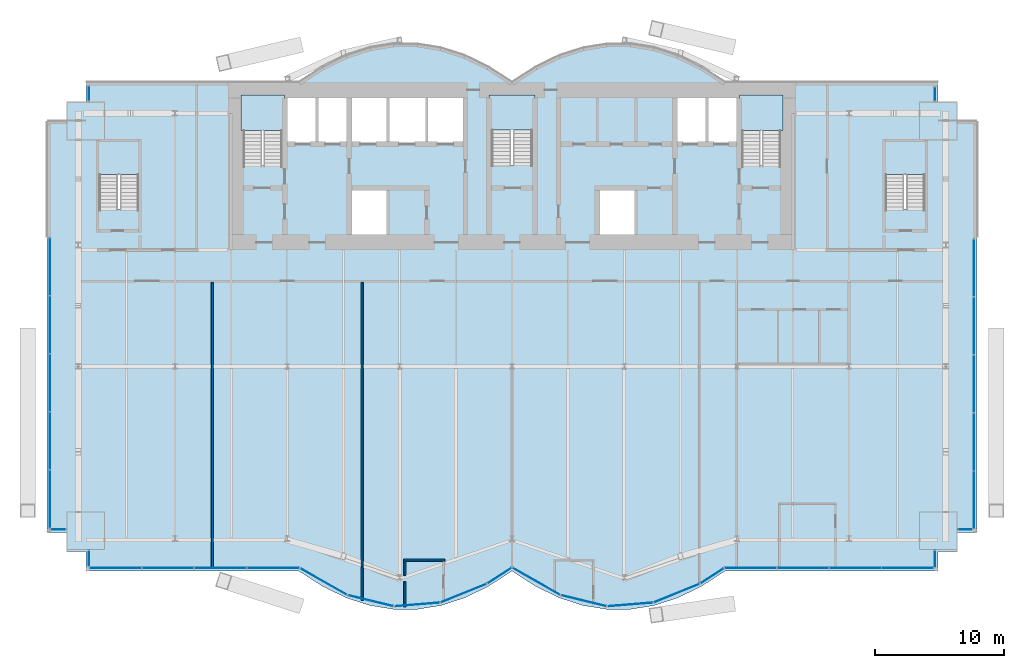
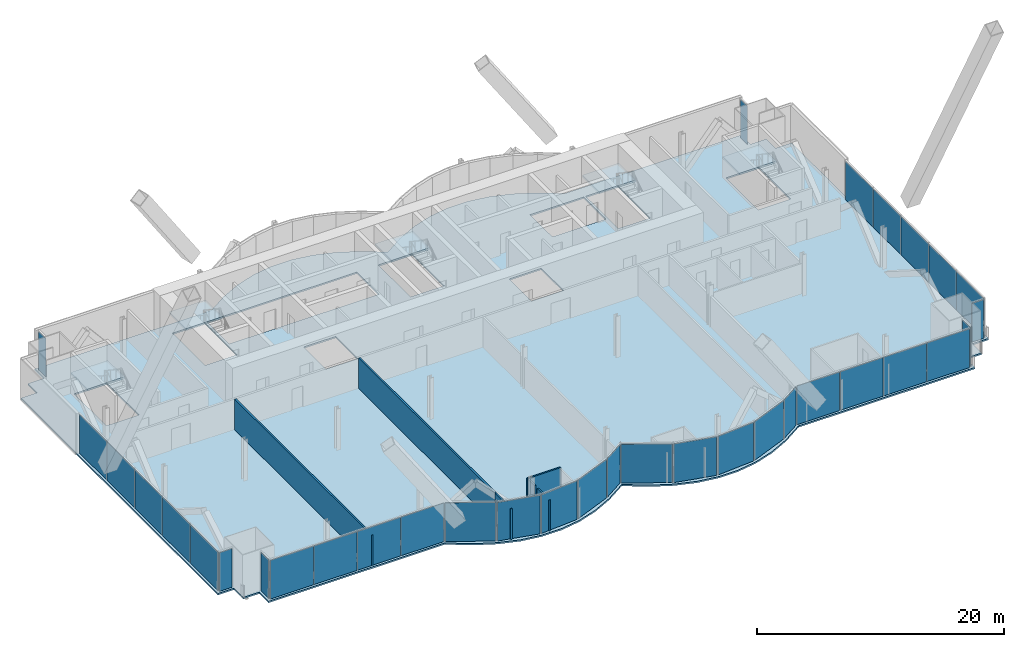
# One storey, part 16 of 23: 34 plates, 6 slabs, 6 walls, 17 elements without a shape of their own.
"""IFC4 building model written with IfcOpenShell, lengths in metres."""

import ifcopenshell
import ifcopenshell.guid

model = None  # the IFC model being written
_history = None  # IfcOwnerHistory: only IFC2X3 demands one
_inside = {}  # id of a spatial element -> (the spatial element, [elements in it])
_under = {}  # id of a project, library or spatial element -> (it, [spatial elements below it])
_declared = {}  # id of a project -> (the project, [libraries it declares])
_typed = {}  # id of a type object -> (the type object, [elements of that type])
_made_of = {}  # id of a material, layer set ... -> (it, [elements and type objects made of it])


def new_model(schema):
    """Start an empty IFC model of exactly this schema.

    Asked for "IFC4X3", IfcOpenShell would pick the latest addendum, in which some entities
    have other attributes; the version numbers below select the first issue.
    IFC2X3 requires an IfcOwnerHistory on every rooted entity: one is made here for all.
    """
    global model, _history
    if schema == "IFC4X3":
        model = ifcopenshell.file(schema_version=(4, 3, 0, 0))
    else:
        model = ifcopenshell.file(schema=schema)
    _inside.clear()
    _under.clear()
    _declared.clear()
    _typed.clear()
    _made_of.clear()
    _history = None
    if model.schema == "IFC2X3":
        org = make("IfcOrganization", Name="unknown")
        user = make(
            "IfcPersonAndOrganization",
            ThePerson=make("IfcPerson", FamilyName="unknown"),
            TheOrganization=org,
        )
        app = make(
            "IfcApplication",
            ApplicationDeveloper=org,
            Version="unknown",
            ApplicationFullName="unknown",
            ApplicationIdentifier="unknown",
        )
        _history = make(
            "IfcOwnerHistory",
            OwningUser=user,
            OwningApplication=app,
            ChangeAction="ADDED",
            CreationDate=0,
        )
    return model


def make(cls, **values):
    """One entity of the class cls with the attributes given. An attribute that is None is left unset."""
    return model.create_entity(
        cls, **{name: value for name, value in values.items() if value is not None}
    )


def rooted(cls, **values):
    """An entity with a GlobalId (a new one), such as an element, a storey or a relation."""
    return make(cls, GlobalId=ifcopenshell.guid.new(), OwnerHistory=_history, **values)


def si_unit(unit_type, name, prefix=None):
    """IfcSIUnit, for example si_unit("LENGTHUNIT", "METRE", prefix="MILLI")."""
    return make("IfcSIUnit", UnitType=unit_type, Prefix=prefix, Name=name)


def assignment(units):
    """IfcUnitAssignment: the units of a project."""
    return None if units is None else make("IfcUnitAssignment", Units=units)


def point(xyz):
    """IfcCartesianPoint."""
    return None if xyz is None else make("IfcCartesianPoint", Coordinates=xyz)


def direction(xyz):
    """IfcDirection."""
    return None if xyz is None else make("IfcDirection", DirectionRatios=xyz)


def frame(location, z_axis=None, x_axis=None):
    """IfcAxis2Placement3D, a coordinate frame: its origin and axes. An axis left out is left unset."""
    return make(
        "IfcAxis2Placement3D",
        Location=point(location),
        Axis=direction(z_axis),
        RefDirection=direction(x_axis),
    )


def frame_2d(location, x_axis=None):
    """IfcAxis2Placement2D, a coordinate frame in the plane: its origin and x axis."""
    return make(
        "IfcAxis2Placement2D", Location=point(location), RefDirection=direction(x_axis)
    )


def origin():
    """The frame at (0, 0, 0) with its axes left unset."""
    return frame((0.0, 0.0, 0.0))


def origin_2d():
    """The frame at (0, 0) in the plane with its x axis left unset."""
    return frame_2d((0.0, 0.0))


def place(relative_to, where):
    """IfcLocalPlacement: puts the frame where relative to a parent placement (None: the world)."""
    return make(
        "IfcLocalPlacement", PlacementRelTo=relative_to, RelativePlacement=where
    )


def context(
    kind, dimensions, precision=None, world=None, true_north=None, identifier=None
):
    """IfcGeometricRepresentationContext, for example the 3D "Model" context."""
    return make(
        "IfcGeometricRepresentationContext",
        ContextIdentifier=identifier,
        ContextType=kind,
        CoordinateSpaceDimension=dimensions,
        Precision=precision,
        WorldCoordinateSystem=world,
        TrueNorth=true_north,
    )


def subcontext(parent, identifier, kind, view, scale=None):
    """IfcGeometricRepresentationSubContext, for example "Body" below "Model"."""
    return make(
        "IfcGeometricRepresentationSubContext",
        ContextIdentifier=identifier,
        ContextType=kind,
        ParentContext=parent,
        TargetScale=scale,
        TargetView=view,
    )


def project(units=None, contexts=None):
    """IfcProject with its units and contexts."""
    return rooted(
        "IfcProject",
        Name="project",
        RepresentationContexts=contexts,
        UnitsInContext=assignment(units),
    )


def spatial(cls, under=None, at=None, **own):
    """A site, building, storey or space (cls), placed at a placement, below another one or the project."""
    s = rooted(cls, ObjectPlacement=at, **own)
    if under is not None:
        _under.setdefault(under.id(), (under, []))[1].append(s)
    return s


def polyline(points):
    """IfcPolyline through the points."""
    return make("IfcPolyline", Points=[point(p) for p in points])


def profile(cls, at=None, kind="AREA", **sizes):
    """A parametric profile (cls). Its sizes go by their IFC names, for example OverallWidth=200.0."""
    return make(cls, ProfileType=kind, Position=at, **sizes)


def rectangle(**sizes):
    """IfcRectangleProfileDef."""
    return profile("IfcRectangleProfileDef", **sizes)


def outline(outer, holes=None, kind="AREA"):
    """IfcArbitraryClosedProfileDef: a profile drawn as a closed curve; with holes, ...WithVoids."""
    if holes is None:
        return make("IfcArbitraryClosedProfileDef", ProfileType=kind, OuterCurve=outer)
    return make(
        "IfcArbitraryProfileDefWithVoids",
        ProfileType=kind,
        OuterCurve=outer,
        InnerCurves=holes,
    )


def extrude(swept, where, along, depth):
    """IfcExtrudedAreaSolid: the profile swept, set in the frame where, extruded along a direction by depth."""
    return make(
        "IfcExtrudedAreaSolid",
        SweptArea=swept,
        Position=where,
        ExtrudedDirection=direction(along),
        Depth=depth,
    )


def shape(context_of_items, identifier, shape_type, items):
    """IfcShapeRepresentation: the items that make up one representation, for example the "Body"."""
    return make(
        "IfcShapeRepresentation",
        ContextOfItems=context_of_items,
        RepresentationIdentifier=identifier,
        RepresentationType=shape_type,
        Items=items,
    )


def material(Name=None, Category=None):
    """IfcMaterial."""
    return make("IfcMaterial", Name=Name, Category=Category)


def layer(
    of_material, thickness, ventilated=None, Name=None, Category=None, Priority=None
):
    """IfcMaterialLayer: one layer of a wall or slab, of a material (None: an air gap)."""
    return make(
        "IfcMaterialLayer",
        Material=of_material,
        LayerThickness=thickness,
        IsVentilated=ventilated,
        Name=Name,
        Category=Category,
        Priority=Priority,
    )


def layer_set(layers, Name=None):
    """IfcMaterialLayerSet."""
    return make("IfcMaterialLayerSet", MaterialLayers=layers, LayerSetName=Name)


def made_of(thing, what):
    """Note that an element or type object is made of a material, layer set ...; save() writes the relation."""
    if what is not None:
        _made_of.setdefault(what.id(), (what, []))[1].append(thing)
    return thing


def type_object(cls, material=None, **own):
    """A type object (cls), such as IfcWallType, which elements share."""
    return made_of(rooted(cls, **own), material)


def element(
    cls,
    number,
    at=None,
    inside=None,
    cuts=None,
    type_object=None,
    material=None,
    context=None,
    identifier="Body",
    shape_type=None,
    held_by="IfcProductDefinitionShape",
    body=None,
    shapes=None,
    **own,
):
    """One element of the class cls, such as IfcWall. Its Tag is "e" and its number.

    at: its placement. inside: the storey or other place that contains it. cuts: it is an
    opening in that element (IfcRelVoidsElement). A single representation is given by context,
    identifier, shape_type and body (its items); several are given by shapes. held_by: the class
    of the entity that holds the representations. save() writes the other relations.
    """
    e = rooted(cls, Tag="e%d" % number, ObjectPlacement=at, **own)
    if body is not None:
        shapes = [shape(context, identifier, shape_type, body)]
    if shapes is not None:
        e.Representation = make(held_by, Representations=shapes)
    if inside is not None:
        _inside.setdefault(inside.id(), (inside, []))[1].append(e)
    if cuts is not None:
        rooted(
            "IfcRelVoidsElement", RelatingBuildingElement=cuts, RelatedOpeningElement=e
        )
    if type_object is not None:
        _typed.setdefault(type_object.id(), (type_object, []))[1].append(e)
    return made_of(e, material)


def aggregate(whole, parts):
    """IfcRelAggregates: a whole, such as a stair, and the parts it consists of."""
    return rooted("IfcRelAggregates", RelatingObject=whole, RelatedObjects=parts)


def save(model, path):
    """Write the relations noted so far, then the file.

    IfcRelAggregates (storeys below a building ...), IfcRelContainedInSpatialStructure (elements
    in a storey), IfcRelDefinesByType, IfcRelAssociatesMaterial and IfcRelDeclares: one each for
    every whole, place, type object, material and project.
    """
    for whole, parts in _under.values():
        aggregate(whole, parts)
    for where, things in _inside.values():
        rooted(
            "IfcRelContainedInSpatialStructure",
            RelatedElements=things,
            RelatingStructure=where,
        )
    for kind, things in _typed.values():
        rooted("IfcRelDefinesByType", RelatedObjects=things, RelatingType=kind)
    for what, things in _made_of.values():
        rooted("IfcRelAssociatesMaterial", RelatedObjects=things, RelatingMaterial=what)
    for by, libraries in _declared.values():
        rooted("IfcRelDeclares", RelatingContext=by, RelatedDefinitions=libraries)
    model.write(path)


model = new_model("IFC4")

# Units and contexts
model_context = context("Model", 3, precision=1e-05, world=origin(), true_north=direction((0.0, 1.0)))
body_context = subcontext(model_context, "Body", "Model", "MODEL_VIEW")
ifc_project = project(units=[si_unit("LENGTHUNIT", "METRE"), si_unit("AREAUNIT", "SQUARE_METRE"), si_unit("VOLUMEUNIT", "CUBIC_METRE"), si_unit("PLANEANGLEUNIT", "RADIAN"), si_unit("MASSUNIT", "GRAM", prefix="KILO")], contexts=[model_context])

# Site, building, storey
site_placement = place(None, origin())
site = spatial("IfcSite", under=ifc_project, at=site_placement, CompositionType="ELEMENT")
building_placement = place(site_placement, origin())
building = spatial("IfcBuilding", under=site, at=building_placement, Name="Bicima Exchange Tower", CompositionType="ELEMENT")
storey_placement = place(building_placement, frame((0.0, 0.0, 110.39990234375)))
storey = spatial("IfcBuildingStorey", under=building, at=storey_placement, Name="L23", CompositionType="ELEMENT", Elevation=110.39990234375)

# Slab
ifc_material_1 = material(Name="Concrete C40/50", Category="concrete")
ifc_layer_1 = layer(ifc_material_1, 0.14990234375)
ifc_layer_set_1 = layer_set([ifc_layer_1], Name="Concrete C40/50")
slab_type_1 = type_object("IfcSlabType", Name="Composite floor slab 150", PredefinedType="FLOOR", material=ifc_layer_set_1)
slab_1_placement = place(storey_placement, frame((0.0, 0.0, -0.14990234375)))
element("IfcSlab", 1, at=slab_1_placement, inside=storey, type_object=slab_type_1, Name="Floor slab", PredefinedType="FLOOR", context=body_context, shape_type="SweptSolid", body=[
    extrude(outline(polyline([(-36.0, -34.85205078125), (-36.0, -3.0), (-34.5, -3.0), (-34.5, -1.5), (-33.0, -1.5), (-33.0, 0.0), (-16.5, 0.0), (-14.666748046875, 1.185302734375), (-12.833251953125, 2.07421875), (-11.0, 2.666748046875), (-9.166748046875, 2.962890625), (-7.333251953125, 2.962890625), (-5.5, 2.666748046875), (-3.666748046875, 2.07421875), (-1.833251953125, 1.185302734375), (0.0, 0.0), (1.833251953125, 1.185302734375), (3.666748046875, 2.07421875), (5.5, 2.666748046875), (7.333251953125, 2.962890625), (9.166748046875, 2.962890625), (11.0, 2.666748046875), (12.833251953125, 2.07421875), (14.666748046875, 1.185302734375), (16.5, 0.0), (33.0, 0.0), (33.0, -1.5), (34.5, -1.5), (34.5, -3.0), (36.0, -3.0), (36.0, -34.85205078125), (34.5, -34.85205078125), (34.5, -36.35205078125), (33.0, -36.35205078125), (33.0, -37.85205078125), (16.5, -37.85205078125), (14.666748046875, -39.037109375), (12.833251953125, -39.926025390625), (11.0, -40.518798828125), (9.166748046875, -40.81494140625), (7.333251953125, -40.81494140625), (5.5, -40.518798828125), (3.666748046875, -39.926025390625), (1.833251953125, -39.037109375), (0.0, -37.85205078125), (-1.833251953125, -39.037109375), (-3.666748046875, -39.926025390625), (-5.5, -40.518798828125), (-7.333251953125, -40.81494140625), (-9.166748046875, -40.81494140625), (-11.0, -40.518798828125), (-12.833251953125, -39.926025390625), (-14.666748046875, -39.037109375), (-16.5, -37.85205078125), (-33.0, -37.85205078125), (-33.0, -36.35205078125), (-34.5, -36.35205078125), (-34.5, -34.85205078125), (-36.0, -34.85205078125)]), holes=[polyline([(-9.60009765625, -11.800048828125), (-9.60009765625, -8.199951171875), (-12.60009765625, -8.199951171875), (-12.60009765625, -11.800048828125), (-9.60009765625, -11.800048828125)]), polyline([(-31.97509765625, -9.824951171875), (-28.925048828125, -9.824951171875), (-28.925048828125, -4.625), (-31.97509765625, -4.625), (-31.97509765625, -9.824951171875)]), polyline([(-20.800048828125, -6.449951171875), (-17.800048828125, -6.449951171875), (-17.800048828125, -1.199951171875), (-20.800048828125, -1.199951171875), (-20.800048828125, -6.449951171875)]), polyline([(-9.60009765625, -1.199951171875), (-12.60009765625, -1.199951171875), (-15.10009765625, -1.199951171875), (-17.60009765625, -1.199951171875), (-17.60009765625, -4.800048828125), (-15.10009765625, -4.800048828125), (-12.60009765625, -4.800048828125), (-9.60009765625, -4.800048828125), (-6.60009765625, -4.800048828125), (-3.60009765625, -4.800048828125), (-3.60009765625, -1.199951171875), (-6.60009765625, -1.199951171875), (-9.60009765625, -1.199951171875)]), polyline([(9.60009765625, -11.800048828125), (9.60009765625, -8.199951171875), (6.60009765625, -8.199951171875), (6.60009765625, -11.800048828125), (9.60009765625, -11.800048828125)]), polyline([(28.925048828125, -9.824951171875), (31.97509765625, -9.824951171875), (31.97509765625, -4.625), (28.925048828125, -4.625), (28.925048828125, -9.824951171875)]), polyline([(17.800048828125, -6.449951171875), (20.800048828125, -6.449951171875), (20.800048828125, -1.199951171875), (17.800048828125, -1.199951171875), (17.800048828125, -6.449951171875)]), polyline([(-1.574951171875, -6.39990234375), (1.574951171875, -6.39990234375), (1.574951171875, -1.199951171875), (-1.574951171875, -1.199951171875), (-1.574951171875, -6.39990234375)]), polyline([(17.60009765625, -4.800048828125), (17.60009765625, -1.199951171875), (15.10009765625, -1.199951171875), (12.60009765625, -1.199951171875), (12.60009765625, -4.800048828125), (15.10009765625, -4.800048828125), (17.60009765625, -4.800048828125)])]), origin(), (0.0, 0.0, 1.0), 0.14990234375),
])

# Curtain wall, plates
ifc_material_2 = material(Name="Anodised bronze aluminium", Category="aluminium")
curtain_wall_type_1 = type_object("IfcCurtainWallType", Name="End face glass wall", PredefinedType="NOTDEFINED", material=ifc_material_2)
curtain_wall_1_placement = place(storey_placement, origin())
curtain_wall_1 = element("IfcCurtainWall", 2, at=curtain_wall_1_placement, inside=storey, type_object=curtain_wall_type_1, Name="End face glass wall L23 run 2", PredefinedType="NOTDEFINED")
ifc_material_3 = material(Name="Bronze tinted glass", Category="glass")
ifc_layer_2 = layer(ifc_material_3, 0.031982421875)
ifc_layer_set_2 = layer_set([ifc_layer_2], Name="Bronze tinted glass")
plate_type_1 = type_object("IfcPlateType", Name="End face glass wall glass panel 32", PredefinedType="CURTAIN_PANEL", material=ifc_layer_set_2)
plate_1_placement = place(storey_placement, frame((-35.77001953125, -14.2783203125, 0.0), z_axis=(0.0, 0.0, 1.0), x_axis=(0.0, -1.0, 0.0)))
plate_1 = element("IfcPlate", 3, at=plate_1_placement, type_object=plate_type_1, Name="End face glass wall panel 1.1", PredefinedType="CURTAIN_PANEL", context=body_context, shape_type="SweptSolid", body=[
    extrude(rectangle(XDim=4.436279296875, YDim=0.031982421875, at=origin_2d()), origin(), (0.0, 0.0, 1.0), 3.81005859375),
])
plate_2_placement = place(storey_placement, frame((-35.77001953125, -27.767333984375, 0.0), z_axis=(0.0, 0.0, 1.0), x_axis=(0.0, -1.0, 0.0)))
plate_2 = element("IfcPlate", 4, at=plate_2_placement, type_object=plate_type_1, Name="End face glass wall panel 4.1", PredefinedType="CURTAIN_PANEL", context=body_context, shape_type="SweptSolid", body=[
    extrude(rectangle(XDim=4.436279296875, YDim=0.031982421875, at=origin_2d()), origin(), (0.0, 0.0, 1.0), 3.81005859375),
])
plate_3_placement = place(storey_placement, frame((-35.77001953125, -32.263916015625, 0.0), z_axis=(0.0, 0.0, 1.0), x_axis=(0.0, -1.0, 0.0)))
plate_3 = element("IfcPlate", 5, at=plate_3_placement, type_object=plate_type_1, Name="End face glass wall panel 5.1", PredefinedType="CURTAIN_PANEL", context=body_context, shape_type="SweptSolid", body=[
    extrude(rectangle(XDim=4.436279296875, YDim=0.031982421875, at=origin_2d()), origin(), (0.0, 0.0, 1.0), 3.81005859375),
])

curtain_wall_2_placement = place(storey_placement, origin())
curtain_wall_2 = element("IfcCurtainWall", 6, at=curtain_wall_2_placement, inside=storey, type_object=curtain_wall_type_1, Name="End face glass wall L23 run 19", PredefinedType="NOTDEFINED")
plate_4_placement = place(storey_placement, frame((35.77001953125, -32.34375, 0.0), z_axis=(0.0, 0.0, 1.0), x_axis=(0.0, 1.0, 0.0)))
plate_4 = element("IfcPlate", 7, at=plate_4_placement, type_object=plate_type_1, Name="End face glass wall panel 1.1", PredefinedType="CURTAIN_PANEL", context=body_context, shape_type="SweptSolid", body=[
    extrude(rectangle(XDim=4.436279296875, YDim=0.031982421875, at=origin_2d()), origin(), (0.0, 0.0, 1.0), 3.81005859375),
])
plate_5_placement = place(storey_placement, frame((35.77001953125, -27.847412109375, 0.0), z_axis=(0.0, 0.0, 1.0), x_axis=(0.0, 1.0, 0.0)))
plate_5 = element("IfcPlate", 8, at=plate_5_placement, type_object=plate_type_1, Name="End face glass wall panel 2.1", PredefinedType="CURTAIN_PANEL", context=body_context, shape_type="SweptSolid", body=[
    extrude(rectangle(XDim=4.436279296875, YDim=0.031982421875, at=origin_2d()), origin(), (0.0, 0.0, 1.0), 3.81005859375),
])
plate_6_placement = place(storey_placement, frame((35.77001953125, -14.358154296875, 0.0), z_axis=(0.0, 0.0, 1.0), x_axis=(0.0, 1.0, 0.0)))
plate_6 = element("IfcPlate", 9, at=plate_6_placement, type_object=plate_type_1, Name="End face glass wall panel 5.1", PredefinedType="CURTAIN_PANEL", context=body_context, shape_type="SweptSolid", body=[
    extrude(rectangle(XDim=4.436279296875, YDim=0.031982421875, at=origin_2d()), origin(), (0.0, 0.0, 1.0), 3.81005859375),
])

# Plate
ifc_material_4 = material(Name="Bronze anodised aluminium", Category="aluminium")
ifc_layer_3 = layer(ifc_material_4, 0.031982421875)
ifc_layer_set_3 = layer_set([ifc_layer_3], Name="Bronze anodised aluminium")
plate_type_2 = type_object("IfcPlateType", Name="End face glass wall spandrel panel 32", PredefinedType="CURTAIN_PANEL", material=ifc_layer_set_3)
plate_7_placement = place(storey_placement, frame((-35.77001953125, -18.774658203125, 0.0), z_axis=(0.0, 0.0, 1.0), x_axis=(0.0, -1.0, 0.0)))
plate_7 = element("IfcPlate", 10, at=plate_7_placement, type_object=plate_type_2, Name="End face spandrel wall panel 2.1", PredefinedType="CURTAIN_PANEL", context=body_context, shape_type="SweptSolid", body=[
    extrude(rectangle(XDim=4.436279296875, YDim=0.031982421875, at=origin_2d()), origin(), (0.0, 0.0, 1.0), 3.81005859375),
])

plate_8_placement = place(storey_placement, frame((-35.77001953125, -23.27099609375, 0.0), z_axis=(0.0, 0.0, 1.0), x_axis=(0.0, -1.0, 0.0)))
plate_8 = element("IfcPlate", 11, at=plate_8_placement, type_object=plate_type_2, Name="End face spandrel wall panel 3.1", PredefinedType="CURTAIN_PANEL", context=body_context, shape_type="SweptSolid", body=[
    extrude(rectangle(XDim=4.436279296875, YDim=0.031982421875, at=origin_2d()), origin(), (0.0, 0.0, 1.0), 3.81005859375),
])

aggregate(curtain_wall_1, [plate_1, plate_7, plate_8, plate_2, plate_3])

plate_9_placement = place(storey_placement, frame((35.77001953125, -23.35107421875, 0.0), z_axis=(0.0, 0.0, 1.0), x_axis=(0.0, 1.0, 0.0)))
plate_9 = element("IfcPlate", 12, at=plate_9_placement, type_object=plate_type_2, Name="End face spandrel wall panel 3.1", PredefinedType="CURTAIN_PANEL", context=body_context, shape_type="SweptSolid", body=[
    extrude(rectangle(XDim=4.436279296875, YDim=0.031982421875, at=origin_2d()), origin(), (0.0, 0.0, 1.0), 3.81005859375),
])

plate_10_placement = place(storey_placement, frame((35.77001953125, -18.8544921875, 0.0), z_axis=(0.0, 0.0, 1.0), x_axis=(0.0, 1.0, 0.0)))
plate_10 = element("IfcPlate", 13, at=plate_10_placement, type_object=plate_type_2, Name="End face spandrel wall panel 4.1", PredefinedType="CURTAIN_PANEL", context=body_context, shape_type="SweptSolid", body=[
    extrude(rectangle(XDim=4.436279296875, YDim=0.031982421875, at=origin_2d()), origin(), (0.0, 0.0, 1.0), 3.81005859375),
])

aggregate(curtain_wall_2, [plate_4, plate_5, plate_9, plate_10, plate_6])

# Curtain wall, plate
curtain_wall_type_2 = type_object("IfcCurtainWallType", Name="Front glass wall", PredefinedType="NOTDEFINED", material=ifc_material_2)
curtain_wall_3_placement = place(storey_placement, origin())
curtain_wall_3 = element("IfcCurtainWall", 14, at=curtain_wall_3_placement, inside=storey, type_object=curtain_wall_type_2, Name="Front glass wall L23 run 1", PredefinedType="NOTDEFINED")
ifc_layer_4 = layer(ifc_material_3, 0.031982421875)
ifc_layer_set_4 = layer_set([ifc_layer_4], Name="Bronze tinted glass")
plate_type_3 = type_object("IfcPlateType", Name="Front glass wall glass panel 32", PredefinedType="CURTAIN_PANEL", material=ifc_layer_set_4)
plate_11_placement = place(storey_placement, frame((-32.77001953125, -0.864990234375, 0.0), z_axis=(0.0, 0.0, 1.0), x_axis=(0.0, -1.0, 0.0)))
plate_11 = element("IfcPlate", 15, at=plate_11_placement, type_object=plate_type_3, Name="Front glass wall panel 1.1", PredefinedType="CURTAIN_PANEL", context=body_context, shape_type="SweptSolid", body=[
    extrude(rectangle(XDim=1.14990234375, YDim=0.031982421875, at=origin_2d()), origin(), (0.0, 0.0, 1.0), 3.81005859375),
])
aggregate(curtain_wall_3, [plate_11])

curtain_wall_4_placement = place(storey_placement, origin())
curtain_wall_4 = element("IfcCurtainWall", 16, at=curtain_wall_4_placement, inside=storey, type_object=curtain_wall_type_2, Name="Front glass wall L23 run 3", PredefinedType="NOTDEFINED")
plate_12_placement = place(storey_placement, frame((-35.135009765625, -34.6220703125, 0.0), z_axis=(0.0, 0.0, 1.0), x_axis=(1.0, 0.0, 0.0)))
plate_12 = element("IfcPlate", 17, at=plate_12_placement, type_object=plate_type_3, Name="Front glass wall panel 1.1", PredefinedType="CURTAIN_PANEL", context=body_context, shape_type="SweptSolid", body=[
    extrude(rectangle(XDim=1.14990234375, YDim=0.031982421875, at=origin_2d()), origin(), (0.0, 0.0, 1.0), 3.81005859375),
])
aggregate(curtain_wall_4, [plate_12])

curtain_wall_5_placement = place(storey_placement, origin())
curtain_wall_5 = element("IfcCurtainWall", 18, at=curtain_wall_5_placement, inside=storey, type_object=curtain_wall_type_2, Name="Front glass wall L23 run 4", PredefinedType="NOTDEFINED")
plate_13_placement = place(storey_placement, frame((-32.77001953125, -36.885986328125, 0.0), z_axis=(0.0, 0.0, 1.0), x_axis=(0.0, -1.0, 0.0)))
plate_13 = element("IfcPlate", 19, at=plate_13_placement, type_object=plate_type_3, Name="Front glass wall panel 1.1", PredefinedType="CURTAIN_PANEL", context=body_context, shape_type="SweptSolid", body=[
    extrude(rectangle(XDim=1.19189453125, YDim=0.031982421875, at=origin_2d()), origin(), (0.0, 0.0, 1.0), 3.81005859375),
])
aggregate(curtain_wall_5, [plate_13])

# Curtain wall, plates
curtain_wall_6_placement = place(storey_placement, origin())
curtain_wall_6 = element("IfcCurtainWall", 20, at=curtain_wall_6_placement, inside=storey, type_object=curtain_wall_type_2, Name="Front glass wall L23 run 5", PredefinedType="NOTDEFINED")
plate_14_placement = place(storey_placement, frame((-30.705322265625, -37.6220703125, 0.0), z_axis=(0.0, 0.0, 1.0), x_axis=(1.0, 0.0, 0.0)))
plate_14 = element("IfcPlate", 21, at=plate_14_placement, type_object=plate_type_3, Name="Front glass wall panel 1.1", PredefinedType="CURTAIN_PANEL", context=body_context, shape_type="SweptSolid", body=[
    extrude(rectangle(XDim=4.009521484375, YDim=0.031982421875, at=origin_2d()), origin(), (0.0, 0.0, 1.0), 3.81005859375),
])
plate_15_placement = place(storey_placement, frame((-26.6357421875, -37.6220703125, 0.0), z_axis=(0.0, 0.0, 1.0), x_axis=(1.0, 0.0, 0.0)))
plate_15 = element("IfcPlate", 22, at=plate_15_placement, type_object=plate_type_3, Name="Front glass wall panel 2.1", PredefinedType="CURTAIN_PANEL", context=body_context, shape_type="SweptSolid", body=[
    extrude(rectangle(XDim=4.009521484375, YDim=0.031982421875, at=origin_2d()), origin(), (0.0, 0.0, 1.0), 3.81005859375),
])
plate_16_placement = place(storey_placement, frame((-22.56640625, -37.6220703125, 0.0), z_axis=(0.0, 0.0, 1.0), x_axis=(1.0, 0.0, 0.0)))
plate_16 = element("IfcPlate", 23, at=plate_16_placement, type_object=plate_type_3, Name="Front glass wall panel 3.1", PredefinedType="CURTAIN_PANEL", context=body_context, shape_type="SweptSolid", body=[
    extrude(rectangle(XDim=4.009521484375, YDim=0.031982421875, at=origin_2d()), origin(), (0.0, 0.0, 1.0), 3.81005859375),
])
plate_17_placement = place(storey_placement, frame((-18.496826171875, -37.6220703125, 0.0), z_axis=(0.0, 0.0, 1.0), x_axis=(1.0, 0.0, 0.0)))
plate_17 = element("IfcPlate", 24, at=plate_17_placement, type_object=plate_type_3, Name="Front glass wall panel 4.1", PredefinedType="CURTAIN_PANEL", context=body_context, shape_type="SweptSolid", body=[
    extrude(rectangle(XDim=4.009521484375, YDim=0.031982421875, at=origin_2d()), origin(), (0.0, 0.0, 1.0), 3.81005859375),
])
aggregate(curtain_wall_6, [plate_14, plate_15, plate_16, plate_17])

curtain_wall_7_placement = place(storey_placement, origin())
curtain_wall_7 = element("IfcCurtainWall", 25, at=curtain_wall_7_placement, inside=storey, type_object=curtain_wall_type_2, Name="Front glass wall L23 run 6", PredefinedType="NOTDEFINED")
plate_18_placement = place(storey_placement, frame((-10.94775390625, -40.148681640625, 0.0), z_axis=(0.0, 0.0, 1.0), x_axis=(0.971830343553, -0.235681529503, 0.0)))
plate_18 = element("IfcPlate", 26, at=plate_18_placement, type_object=plate_type_3, Name="Front glass wall panel 1.1", PredefinedType="CURTAIN_PANEL", context=body_context, shape_type="SweptSolid", body=[
    extrude(rectangle(XDim=3.583251953125, YDim=0.031982421875, at=origin_2d()), origin(), (0.0, 0.0, 1.0), 3.81005859375),
])
plate_19_placement = place(storey_placement, frame((-7.35107421875, -40.439697265625, 0.0), z_axis=(0.0, 0.0, 1.0), x_axis=(0.99674744821, 0.080588612633, 0.0)))
plate_19 = element("IfcPlate", 27, at=plate_19_placement, type_object=plate_type_3, Name="Front glass wall panel 1.1", PredefinedType="CURTAIN_PANEL", context=body_context, shape_type="SweptSolid", body=[
    extrude(rectangle(XDim=3.486083984375, YDim=0.031982421875, at=origin_2d()), origin(), (0.0, 0.0, 1.0), 3.81005859375),
])
plate_20_placement = place(storey_placement, frame((-3.750244140625, -39.5654296875, 0.0), z_axis=(0.0, 0.0, 1.0), x_axis=(0.92714396679, 0.374705304, 0.0)))
plate_20 = element("IfcPlate", 28, at=plate_20_placement, type_object=plate_type_3, Name="Front glass wall panel 1.1", PredefinedType="CURTAIN_PANEL", context=body_context, shape_type="SweptSolid", body=[
    extrude(rectangle(XDim=3.771240234375, YDim=0.031982421875, at=origin_2d()), origin(), (0.0, 0.0, 1.0), 3.81005859375),
])
plate_21_placement = place(storey_placement, frame((-0.97314453125, -38.207275390625, 0.0), z_axis=(0.0, 0.0, 1.0), x_axis=(0.839798994301, 0.542897457326, 0.0)))
plate_21 = element("IfcPlate", 29, at=plate_21_placement, type_object=plate_type_3, Name="Front glass wall panel 1.1", PredefinedType="CURTAIN_PANEL", context=body_context, shape_type="SweptSolid", body=[
    extrude(rectangle(XDim=2.197509765625, YDim=0.031982421875, at=origin_2d()), origin(), (0.0, 0.0, 1.0), 3.81005859375),
])

curtain_wall_8_placement = place(storey_placement, origin())
curtain_wall_8 = element("IfcCurtainWall", 30, at=curtain_wall_8_placement, inside=storey, type_object=curtain_wall_type_2, Name="Front glass wall L23 run 11", PredefinedType="NOTDEFINED")
plate_22_placement = place(storey_placement, frame((1.876220703125, -38.645263671875, 0.0), z_axis=(0.0, 0.0, 1.0), x_axis=(0.869274147378, -0.494330311331, 0.0)))
plate_22 = element("IfcPlate", 31, at=plate_22_placement, type_object=plate_type_3, Name="Front glass wall panel 1.1", PredefinedType="CURTAIN_PANEL", context=body_context, shape_type="SweptSolid", body=[
    extrude(rectangle(XDim=4.197021484375, YDim=0.031982421875, at=origin_2d()), origin(), (0.0, 0.0, 1.0), 3.81005859375),
])
plate_23_placement = place(storey_placement, frame((5.55224609375, -40.148681640625, 0.0), z_axis=(0.0, 0.0, 1.0), x_axis=(0.971830343553, -0.235681529503, 0.0)))
plate_23 = element("IfcPlate", 32, at=plate_23_placement, type_object=plate_type_3, Name="Front glass wall panel 1.1", PredefinedType="CURTAIN_PANEL", context=body_context, shape_type="SweptSolid", body=[
    extrude(rectangle(XDim=3.583251953125, YDim=0.031982421875, at=origin_2d()), origin(), (0.0, 0.0, 1.0), 3.81005859375),
])
plate_24_placement = place(storey_placement, frame((9.14892578125, -40.439697265625, 0.0), z_axis=(0.0, 0.0, 1.0), x_axis=(0.99674744821, 0.080588612633, 0.0)))
plate_24 = element("IfcPlate", 33, at=plate_24_placement, type_object=plate_type_3, Name="Front glass wall panel 1.1", PredefinedType="CURTAIN_PANEL", context=body_context, shape_type="SweptSolid", body=[
    extrude(rectangle(XDim=3.486083984375, YDim=0.031982421875, at=origin_2d()), origin(), (0.0, 0.0, 1.0), 3.81005859375),
])
plate_25_placement = place(storey_placement, frame((15.492919921875, -38.229248046875, 0.0), z_axis=(0.0, 0.0, 1.0), x_axis=(0.839791413941, 0.542909183079, 0.0)))
plate_25 = element("IfcPlate", 34, at=plate_25_placement, type_object=plate_type_3, Name="Front glass wall panel 1.1", PredefinedType="CURTAIN_PANEL", context=body_context, shape_type="SweptSolid", body=[
    extrude(rectangle(XDim=2.11669921875, YDim=0.031982421875, at=origin_2d()), origin(), (0.0, 0.0, 1.0), 3.81005859375),
])

curtain_wall_9_placement = place(storey_placement, origin())
curtain_wall_9 = element("IfcCurtainWall", 35, at=curtain_wall_9_placement, inside=storey, type_object=curtain_wall_type_2, Name="Front glass wall L23 run 16", PredefinedType="NOTDEFINED")
plate_26_placement = place(storey_placement, frame((18.48681640625, -37.6220703125, 0.0), z_axis=(0.0, 0.0, 1.0), x_axis=(1.0, 0.0, 0.0)))
plate_26 = element("IfcPlate", 36, at=plate_26_placement, type_object=plate_type_3, Name="Front glass wall panel 1.1", PredefinedType="CURTAIN_PANEL", context=body_context, shape_type="SweptSolid", body=[
    extrude(rectangle(XDim=3.989501953125, YDim=0.031982421875, at=origin_2d()), origin(), (0.0, 0.0, 1.0), 3.81005859375),
])
plate_27_placement = place(storey_placement, frame((22.536376953125, -37.6220703125, 0.0), z_axis=(0.0, 0.0, 1.0), x_axis=(1.0, 0.0, 0.0)))
plate_27 = element("IfcPlate", 37, at=plate_27_placement, type_object=plate_type_3, Name="Front glass wall panel 2.1", PredefinedType="CURTAIN_PANEL", context=body_context, shape_type="SweptSolid", body=[
    extrude(rectangle(XDim=3.989501953125, YDim=0.031982421875, at=origin_2d()), origin(), (0.0, 0.0, 1.0), 3.81005859375),
])
plate_28_placement = place(storey_placement, frame((26.585693359375, -37.6220703125, 0.0), z_axis=(0.0, 0.0, 1.0), x_axis=(1.0, 0.0, 0.0)))
plate_28 = element("IfcPlate", 38, at=plate_28_placement, type_object=plate_type_3, Name="Front glass wall panel 3.1", PredefinedType="CURTAIN_PANEL", context=body_context, shape_type="SweptSolid", body=[
    extrude(rectangle(XDim=3.989501953125, YDim=0.031982421875, at=origin_2d()), origin(), (0.0, 0.0, 1.0), 3.81005859375),
])
plate_29_placement = place(storey_placement, frame((30.63525390625, -37.6220703125, 0.0), z_axis=(0.0, 0.0, 1.0), x_axis=(1.0, 0.0, 0.0)))
plate_29 = element("IfcPlate", 39, at=plate_29_placement, type_object=plate_type_3, Name="Front glass wall panel 4.1", PredefinedType="CURTAIN_PANEL", context=body_context, shape_type="SweptSolid", body=[
    extrude(rectangle(XDim=3.989501953125, YDim=0.031982421875, at=origin_2d()), origin(), (0.0, 0.0, 1.0), 3.81005859375),
])
aggregate(curtain_wall_9, [plate_26, plate_27, plate_28, plate_29])

# Curtain wall, plate
curtain_wall_10_placement = place(storey_placement, origin())
curtain_wall_10 = element("IfcCurtainWall", 40, at=curtain_wall_10_placement, inside=storey, type_object=curtain_wall_type_2, Name="Front glass wall L23 run 17", PredefinedType="NOTDEFINED")
plate_30_placement = place(storey_placement, frame((32.77001953125, -36.926025390625, 0.0), z_axis=(0.0, 0.0, 1.0), x_axis=(0.0, 1.0, 0.0)))
plate_30 = element("IfcPlate", 41, at=plate_30_placement, type_object=plate_type_3, Name="Front glass wall panel 1.1", PredefinedType="CURTAIN_PANEL", context=body_context, shape_type="SweptSolid", body=[
    extrude(rectangle(XDim=1.27197265625, YDim=0.031982421875, at=origin_2d()), origin(), (0.0, 0.0, 1.0), 3.81005859375),
])
aggregate(curtain_wall_10, [plate_30])

curtain_wall_11_placement = place(storey_placement, origin())
curtain_wall_11 = element("IfcCurtainWall", 42, at=curtain_wall_11_placement, inside=storey, type_object=curtain_wall_type_2, Name="Front glass wall L23 run 18", PredefinedType="NOTDEFINED")
plate_31_placement = place(storey_placement, frame((35.094970703125, -34.6220703125, 0.0), z_axis=(0.0, 0.0, 1.0), x_axis=(1.0, 0.0, 0.0)))
plate_31 = element("IfcPlate", 43, at=plate_31_placement, type_object=plate_type_3, Name="Front glass wall panel 1.1", PredefinedType="CURTAIN_PANEL", context=body_context, shape_type="SweptSolid", body=[
    extrude(rectangle(XDim=1.070068359375, YDim=0.031982421875, at=origin_2d()), origin(), (0.0, 0.0, 1.0), 3.81005859375),
])
aggregate(curtain_wall_11, [plate_31])

curtain_wall_12_placement = place(storey_placement, origin())
curtain_wall_12 = element("IfcCurtainWall", 44, at=curtain_wall_12_placement, inside=storey, type_object=curtain_wall_type_2, Name="Front glass wall L23 run 20", PredefinedType="NOTDEFINED")
plate_32_placement = place(storey_placement, frame((32.77001953125, -0.905029296875, 0.0), z_axis=(0.0, 0.0, 1.0), x_axis=(0.0, 1.0, 0.0)))
plate_32 = element("IfcPlate", 45, at=plate_32_placement, type_object=plate_type_3, Name="Front glass wall panel 1.1", PredefinedType="CURTAIN_PANEL", context=body_context, shape_type="SweptSolid", body=[
    extrude(rectangle(XDim=1.070068359375, YDim=0.031982421875, at=origin_2d()), origin(), (0.0, 0.0, 1.0), 3.81005859375),
])
aggregate(curtain_wall_12, [plate_32])

# Plate
ifc_layer_5 = layer(ifc_material_4, 0.031982421875)
ifc_layer_set_5 = layer_set([ifc_layer_5], Name="Bronze anodised aluminium")
plate_type_4 = type_object("IfcPlateType", Name="Front glass wall spandrel panel 32", PredefinedType="CURTAIN_PANEL", material=ifc_layer_set_5)
plate_33_placement = place(storey_placement, frame((-14.589599609375, -38.6669921875, 0.0), z_axis=(0.0, 0.0, 1.0), x_axis=(0.869805110681, -0.493395449343, 0.0)))
plate_33 = element("IfcPlate", 46, at=plate_33_placement, type_object=plate_type_4, Name="Front spandrel wall panel 1.1", PredefinedType="CURTAIN_PANEL", context=body_context, shape_type="SweptSolid", body=[
    extrude(rectangle(XDim=4.1162109375, YDim=0.031982421875, at=origin_2d()), origin(), (0.0, 0.0, 1.0), 3.81005859375),
])

aggregate(curtain_wall_7, [plate_33, plate_18, plate_19, plate_20, plate_21])

plate_34_placement = place(storey_placement, frame((12.749755859375, -39.5654296875, 0.0), z_axis=(0.0, 0.0, 1.0), x_axis=(0.92714396679, 0.374705304, 0.0)))
plate_34 = element("IfcPlate", 47, at=plate_34_placement, type_object=plate_type_4, Name="Front spandrel wall panel 1.1", PredefinedType="CURTAIN_PANEL", context=body_context, shape_type="SweptSolid", body=[
    extrude(rectangle(XDim=3.771240234375, YDim=0.031982421875, at=origin_2d()), origin(), (0.0, 0.0, 1.0), 3.81005859375),
])

aggregate(curtain_wall_8, [plate_22, plate_23, plate_24, plate_34, plate_25])

# Stair, slab
ifc_material_5 = material(Name="Concrete C50/60", Category="concrete")
stair_type_1 = type_object("IfcStairType", Name="Exit stair", PredefinedType="HALF_TURN_STAIR", material=ifc_material_5)
stair_1_placement = place(storey_placement, origin())
stair_1 = element("IfcStair", 48, at=stair_1_placement, inside=storey, type_object=stair_type_1, Name="L23 West exit stair", PredefinedType="HALF_TURN_STAIR")
ifc_layer_6 = layer(ifc_material_5, 0.199951171875)
ifc_layer_set_6 = layer_set([ifc_layer_6], Name="Concrete C50/60")
slab_type_2 = type_object("IfcSlabType", Name="Stair landing slab", PredefinedType="LANDING", material=ifc_layer_set_6)
slab_2_placement = place(storey_placement, frame((0.0, 0.0, 1.85009765625)))
slab_2 = element("IfcSlab", 49, at=slab_2_placement, type_object=slab_type_2, Name="ST-W landing 1", PredefinedType="LANDING", context=body_context, shape_type="SweptSolid", body=[
    extrude(outline(polyline([(-17.60009765625, -3.75), (-17.60009765625, -1.0), (-21.0, -1.0), (-21.0, -3.75), (-17.60009765625, -3.75)])), origin(), (0.0, 0.0, 1.0), 0.199951171875),
])
aggregate(stair_1, [slab_2])

stair_type_2 = type_object("IfcStairType", Name="Exit stair 1500", PredefinedType="HALF_TURN_STAIR", material=ifc_material_5)
stair_2_placement = place(storey_placement, origin())
stair_2 = element("IfcStair", 50, at=stair_2_placement, inside=storey, type_object=stair_type_2, Name="L23 Central exit stair", PredefinedType="HALF_TURN_STAIR")
slab_3_placement = place(storey_placement, frame((0.0, 0.0, 1.85009765625)))
slab_3 = element("IfcSlab", 51, at=slab_3_placement, type_object=slab_type_2, Name="ST-C landing 1", PredefinedType="LANDING", context=body_context, shape_type="SweptSolid", body=[
    extrude(outline(polyline([(1.77490234375, -3.699951171875), (1.77490234375, -1.0), (-1.77490234375, -1.0), (-1.77490234375, -3.699951171875), (1.77490234375, -3.699951171875)])), origin(), (0.0, 0.0, 1.0), 0.199951171875),
])
aggregate(stair_2, [slab_3])

stair_3_placement = place(storey_placement, origin())
stair_3 = element("IfcStair", 52, at=stair_3_placement, inside=storey, type_object=stair_type_1, Name="L23 East exit stair", PredefinedType="HALF_TURN_STAIR")
slab_4_placement = place(storey_placement, frame((0.0, 0.0, 1.85009765625)))
slab_4 = element("IfcSlab", 53, at=slab_4_placement, type_object=slab_type_2, Name="ST-E landing 1", PredefinedType="LANDING", context=body_context, shape_type="SweptSolid", body=[
    extrude(outline(polyline([(21.0, -3.75), (21.0, -1.0), (17.60009765625, -1.0), (17.60009765625, -3.75), (21.0, -3.75)])), origin(), (0.0, 0.0, 1.0), 0.199951171875),
])
aggregate(stair_3, [slab_4])

stair_4_placement = place(storey_placement, origin())
stair_4 = element("IfcStair", 54, at=stair_4_placement, inside=storey, type_object=stair_type_1, Name="L23 West end exit stair", PredefinedType="HALF_TURN_STAIR")
slab_5_placement = place(storey_placement, frame((0.0, 0.0, 1.85009765625)))
slab_5 = element("IfcSlab", 55, at=slab_5_placement, type_object=slab_type_2, Name="ST-WW landing 1", PredefinedType="LANDING", context=body_context, shape_type="SweptSolid", body=[
    extrude(outline(polyline([(-28.72509765625, -7.125), (-28.72509765625, -4.425048828125), (-32.175048828125, -4.425048828125), (-32.175048828125, -7.125), (-28.72509765625, -7.125)])), origin(), (0.0, 0.0, 1.0), 0.199951171875),
])
aggregate(stair_4, [slab_5])

stair_5_placement = place(storey_placement, origin())
stair_5 = element("IfcStair", 56, at=stair_5_placement, inside=storey, type_object=stair_type_1, Name="L23 East end exit stair", PredefinedType="HALF_TURN_STAIR")
slab_6_placement = place(storey_placement, frame((0.0, 0.0, 1.85009765625)))
slab_6 = element("IfcSlab", 57, at=slab_6_placement, type_object=slab_type_2, Name="ST-EE landing 1", PredefinedType="LANDING", context=body_context, shape_type="SweptSolid", body=[
    extrude(outline(polyline([(32.175048828125, -7.125), (32.175048828125, -4.425048828125), (28.72509765625, -4.425048828125), (28.72509765625, -7.125), (32.175048828125, -7.125)])), origin(), (0.0, 0.0, 1.0), 0.199951171875),
])
aggregate(stair_5, [slab_6])

# Walls
ifc_material_6 = material(Name="Gypsum board partition")
ifc_layer_7 = layer(ifc_material_6, 0.14990234375)
ifc_layer_set_7 = layer_set([ifc_layer_7], Name="Gypsum board partition")
wall_type = type_object("IfcWallType", Name="Gypsum partition 150", PredefinedType="PARTITIONING", material=ifc_layer_set_7)
wall_1_placement = place(storey_placement, frame((-8.375, -37.0, 0.0), z_axis=(0.0, 0.0, 1.0), x_axis=(1.0, 0.0, 0.0)))
element("IfcWall", 58, at=wall_1_placement, inside=storey, type_object=wall_type, Name="partition wall 1", PredefinedType="PARTITIONING", context=body_context, shape_type="SweptSolid", body=[
    extrude(rectangle(XDim=3.14990234375, YDim=0.14990234375, at=frame_2d((1.574951171875, 0.0))), origin(), (0.0, 0.0, 1.0), 3.018310546875),
])
wall_2_placement = place(storey_placement, frame((-23.199951171875, -37.639892578125, 0.0), z_axis=(0.0, 0.0, 1.0), x_axis=(0.0, 1.0, 0.0)))
element("IfcWall", 59, at=wall_2_placement, inside=storey, type_object=wall_type, Name="partition wall 18", PredefinedType="PARTITIONING", context=body_context, shape_type="SweptSolid", body=[
    extrude(rectangle(XDim=22.139892578125, YDim=0.14990234375, at=frame_2d((11.06982421875, 0.0))), origin(), (0.0, 0.0, 1.0), 3.018310546875),
])
wall_3_placement = place(storey_placement, frame((-11.60009765625, -40.10009765625, 0.0), z_axis=(0.0, 0.0, 1.0), x_axis=(0.0, 1.0, 0.0)))
element("IfcWall", 60, at=wall_3_placement, inside=storey, type_object=wall_type, Name="partition wall 19", PredefinedType="PARTITIONING", context=body_context, shape_type="SweptSolid", body=[
    extrude(rectangle(XDim=2.572998046875, YDim=0.14990234375, at=frame_2d((1.28662109375, 0.0))), origin(), (0.0, 0.0, 1.0), 3.018310546875),
])
wall_4_placement = place(storey_placement, frame((-11.60009765625, -37.527099609375, 0.0), z_axis=(0.0, 0.0, 1.0), x_axis=(0.0, 1.0, 0.0)))
element("IfcWall", 61, at=wall_4_placement, inside=storey, type_object=wall_type, Name="partition wall 20", PredefinedType="PARTITIONING", context=body_context, shape_type="SweptSolid", body=[
    extrude(rectangle(XDim=22.027099609375, YDim=0.14990234375, at=frame_2d((11.013671875, 0.0))), origin(), (0.0, 0.0, 1.0), 3.018310546875),
])
wall_5_placement = place(storey_placement, frame((-8.300048828125, -40.60009765625, 0.0), z_axis=(0.0, 0.0, 1.0), x_axis=(0.0, 1.0, 0.0)))
element("IfcWall", 62, at=wall_5_placement, inside=storey, type_object=wall_type, Name="partition wall 21", PredefinedType="PARTITIONING", context=body_context, shape_type="SweptSolid", body=[
    extrude(rectangle(XDim=1.920166015625, YDim=0.14990234375, at=frame_2d((0.9599609375, 0.0))), origin(), (0.0, 0.0, 1.0), 3.018310546875),
])
wall_6_placement = place(storey_placement, frame((-8.300048828125, -38.2099609375, 0.0), z_axis=(0.0, 0.0, 1.0), x_axis=(0.0, 1.0, 0.0)))
element("IfcWall", 63, at=wall_6_placement, inside=storey, type_object=wall_type, Name="partition wall 22", PredefinedType="PARTITIONING", context=body_context, shape_type="SweptSolid", body=[
    extrude(rectangle(XDim=1.135009765625, YDim=0.14990234375, at=frame_2d((0.5673828125, 0.0))), origin(), (0.0, 0.0, 1.0), 3.018310546875),
])

save(model, "model.ifc")
